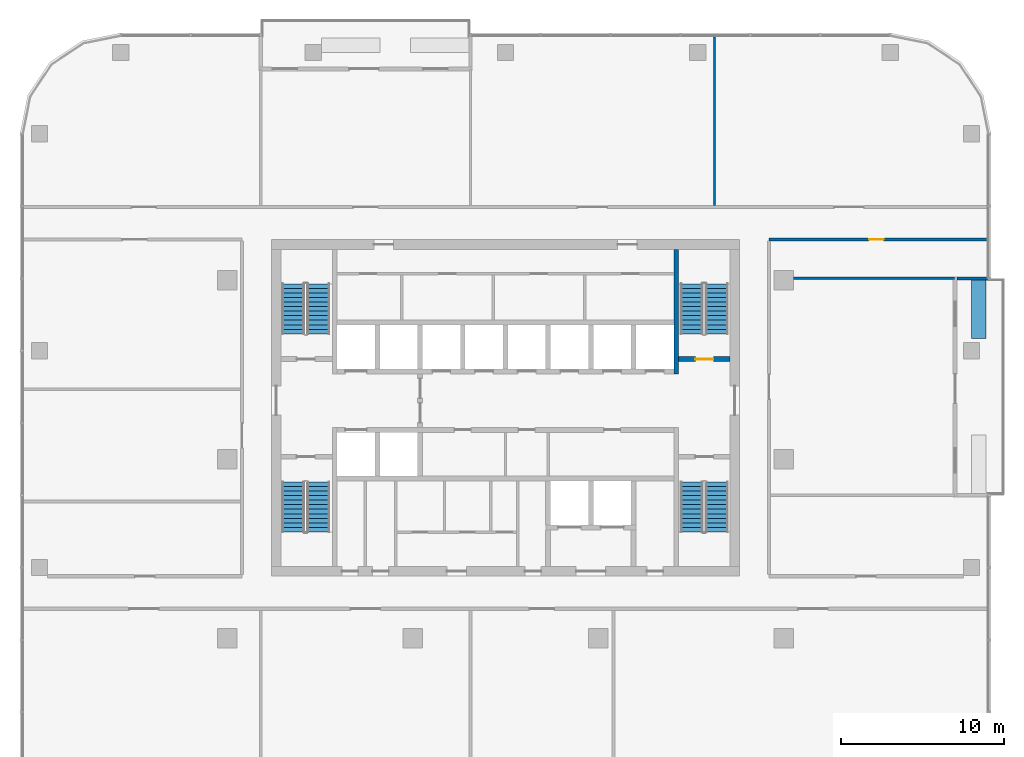
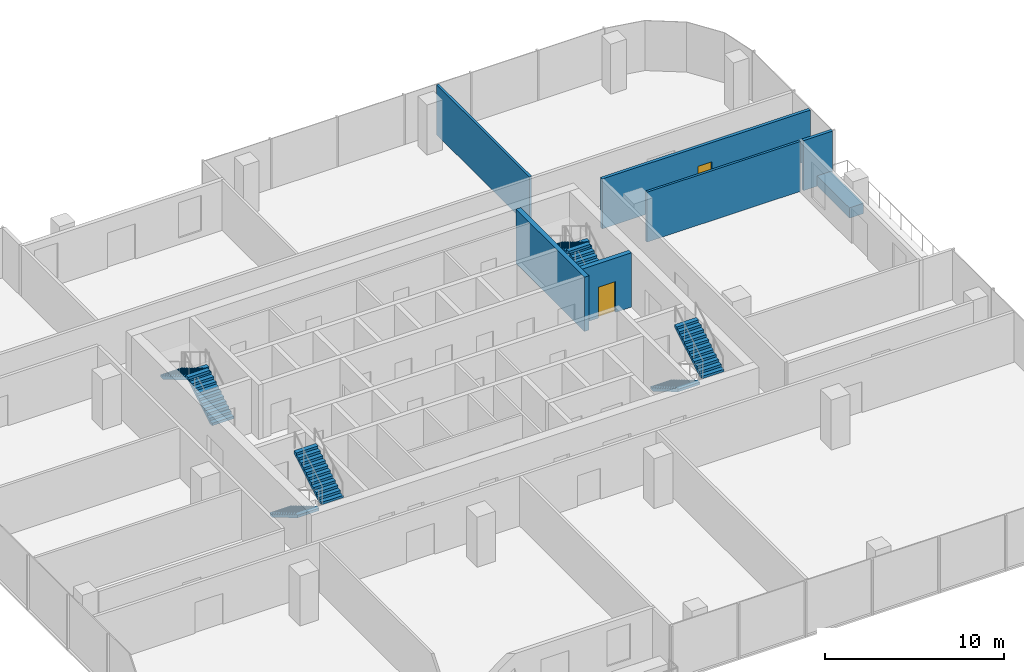
# One storey, part 10 of 13: 8 stair flights, 7 walls, 2 doors, 2 openings, 4 elements without a shape of their own.
"""IFC4 building model written with IfcOpenShell, lengths in metres."""

from ifc_helpers import new_model, si_unit, direction, frame, frame_2d, origin, place, context, subcontext, project, spatial, polyline, rectangle, outline, extrude, material, layer, layer_set, type_object, element, fill, aggregate, save


model = new_model("IFC4")

# Units and contexts
model_context = context("Model", 3, precision=1e-05, world=origin(), true_north=direction((0.0, 1.0)))
body_context = subcontext(model_context, "Body", "Model", "MODEL_VIEW")
ifc_project = project(units=[si_unit("LENGTHUNIT", "METRE"), si_unit("AREAUNIT", "SQUARE_METRE"), si_unit("VOLUMEUNIT", "CUBIC_METRE"), si_unit("PLANEANGLEUNIT", "RADIAN"), si_unit("MASSUNIT", "GRAM", prefix="KILO")], contexts=[model_context])

# Site, building, storey
site_placement = place(None, origin())
site = spatial("IfcSite", under=ifc_project, at=site_placement, CompositionType="ELEMENT")
building_placement = place(site_placement, origin())
building = spatial("IfcBuilding", under=site, at=building_placement, Name="Mopane Tessera Tower", CompositionType="ELEMENT")
storey_placement = place(building_placement, frame((0.0, 0.0, 311.39990234375)))
storey = spatial("IfcBuildingStorey", under=building, at=storey_placement, Name="L68", CompositionType="ELEMENT", Elevation=311.39990234375)

# Wall
ifc_material_1 = material(Name="Concrete C60/75", Category="concrete")
ifc_layer_1 = layer(ifc_material_1, 0.300048828125)
ifc_layer_set_1 = layer_set([ifc_layer_1], Name="Concrete C60/75")
wall_type_1 = type_object("IfcWallType", Name="Core spine wall 300 mm", PredefinedType="SHEAR", material=ifc_layer_set_1)
wall_1_placement = place(storey_placement, frame((10.5, 5.25, 0.0), z_axis=(0.0, 0.0, 1.0), x_axis=(0.0, 1.0, 0.0)))
element("IfcWall", 1, at=wall_1_placement, inside=storey, type_object=wall_type_1, Name="L68 Core spine wall", PredefinedType="SHEAR", context=body_context, shape_type="SweptSolid", body=[
    extrude(rectangle(XDim=7.64990234375, YDim=0.300048828125, at=frame_2d((3.824951171875, 0.0))), origin(), (0.0, 0.0, 1.0), 3.7001953125),
])

# Wall, opening, door
ifc_material_2 = material(Name="Gypsum board on steel studs, two layers each face, mineral wool infill", Category="steel")
ifc_layer_2 = layer(ifc_material_2, 0.199951171875)
ifc_layer_set_2 = layer_set([ifc_layer_2], Name="Gypsum board on steel studs, two layers each face, mineral wool infill")
wall_type_2 = type_object("IfcWallType", Name="Gypsum board corridor wall 200, rated EI 60", PredefinedType="PARTITIONING", material=ifc_layer_set_2)
wall_2_placement = place(storey_placement, frame((16.199951171875, 13.5, 0.0), z_axis=(0.0, 0.0, 1.0), x_axis=(1.0, 0.0, 0.0)))
wall_2 = element("IfcWall", 2, at=wall_2_placement, inside=storey, type_object=wall_type_2, Name="Partition L68:008", PredefinedType="PARTITIONING", context=body_context, shape_type="SweptSolid", body=[
    extrude(rectangle(XDim=13.400146484375, YDim=0.199951171875, at=frame_2d((6.7001953125, 0.0))), origin(), (0.0, 0.0, 1.0), 3.400146484375),
])
opening_1_placement = place(wall_2_placement, frame((6.14990234375, 0.0, 0.0)))
opening_1 = element("IfcOpeningElement", 3, at=opening_1_placement, cuts=wall_2, Name="Opening L68-07", PredefinedType="OPENING", context=body_context, shape_type="SweptSolid", body=[
    extrude(rectangle(XDim=0.89990234375, YDim=2.10009765625, at=frame_2d((0.449951171875, 1.050048828125))), frame((0.0, 0.112060546875, 0.0), z_axis=(0.0, -1.0, 0.0), x_axis=(1.0, 0.0, 0.0)), (0.0, 0.0, 1.0), 0.223876953125),
])
ifc_material_3 = material(Name="Timber veneered steel-framed fire door", Category="steel")
door_type_1 = type_object("IfcDoorType", Name="Fire door FD60 900 x 2100", OperationType="SINGLE_SWING_LEFT", PredefinedType="DOOR", material=ifc_material_3)
door_1_placement = place(opening_1_placement, origin())
door_1 = element("IfcDoor", 4, at=door_1_placement, inside=storey, type_object=door_type_1, Name="Door L68-07", ObjectType="D10A", OperationType="SINGLE_SWING_LEFT", OverallHeight=2.10009765625, OverallWidth=0.89990234375, PredefinedType="DOOR", context=body_context, shape_type="SweptSolid", body=[
    extrude(rectangle(XDim=0.89990234375, YDim=2.10009765625, at=frame_2d((0.449951171875, 1.050048828125))), frame((0.0, 0.02490234375, 0.0), z_axis=(0.0, -1.0, 0.0), x_axis=(1.0, 0.0, 0.0)), (0.0, 0.0, 1.0), 0.050048828125),
])
fill(opening_1, door_1)

# Walls
ifc_material_4 = material(Name="Gypsum board on steel studs, mineral wool infill", Category="steel")
ifc_layer_3 = layer(ifc_material_4, 0.14990234375)
ifc_layer_set_3 = layer_set([ifc_layer_3], Name="Gypsum board on steel studs, mineral wool infill")
wall_type_3 = type_object("IfcWallType", Name="Gypsum board partition 150, rated EI 60", PredefinedType="PARTITIONING", material=ifc_layer_set_3)
wall_3_placement = place(storey_placement, frame((17.699951171875, 11.110107421875, 0.0), z_axis=(0.0, 0.0, 1.0), x_axis=(1.0, 0.0, 0.0)))
element("IfcWall", 5, at=wall_3_placement, inside=storey, type_object=wall_type_3, Name="Partition L68:006", PredefinedType="PARTITIONING", context=body_context, shape_type="SweptSolid", body=[
    extrude(rectangle(XDim=9.900146484375, YDim=0.14990234375, at=frame_2d((4.9501953125, 0.0))), origin(), (0.0, 0.0, 1.0), 3.400146484375),
])
wall_4_placement = place(storey_placement, frame((12.85009765625, 15.60009765625, 0.0), z_axis=(0.0, 0.0, 1.0), x_axis=(0.0, 1.0, 0.0)))
element("IfcWall", 6, at=wall_4_placement, inside=storey, type_object=wall_type_3, Name="Partition L68:016", PredefinedType="PARTITIONING", context=body_context, shape_type="SweptSolid", body=[
    extrude(rectangle(XDim=10.349853515625, YDim=0.14990234375, at=frame_2d((5.1748046875, 0.0))), origin(), (0.0, 0.0, 1.0), 3.400146484375),
])

# Wall, opening, door
ifc_material_5 = material(Name="Concrete C50/60", Category="concrete")
ifc_layer_4 = layer(ifc_material_5, 0.300048828125)
ifc_layer_set_4 = layer_set([ifc_layer_4], Name="Concrete C50/60")
wall_type_4 = type_object("IfcWallType", Name="Lift and stair shaft wall 300 mm", PredefinedType="SOLIDWALL", material=ifc_layer_set_4)
wall_5_placement = place(storey_placement, frame((10.64990234375, 6.14990234375, 0.0), z_axis=(0.0, 0.0, 1.0), x_axis=(1.0, 0.0, 0.0)))
wall_5 = element("IfcWall", 7, at=wall_5_placement, inside=storey, type_object=wall_type_4, Name="L68 Stair enclosure wall", PredefinedType="SOLIDWALL", context=body_context, shape_type="SweptSolid", body=[
    extrude(rectangle(XDim=3.150146484375, YDim=0.300048828125, at=frame_2d((1.5751953125, 0.0))), origin(), (0.0, 0.0, 1.0), 3.7001953125),
])
opening_2_placement = place(wall_5_placement, frame((1.02490234375, 0.0, 0.0)))
opening_2 = element("IfcOpeningElement", 8, at=opening_2_placement, cuts=wall_5, Name="Opening SD1", PredefinedType="OPENING", context=body_context, shape_type="SweptSolid", body=[
    extrude(rectangle(XDim=1.10009765625, YDim=2.10009765625, at=frame_2d((0.550048828125, 1.050048828125))), frame((0.0, 0.162109375, 0.0), z_axis=(0.0, -1.0, 0.0), x_axis=(1.0, 0.0, 0.0)), (0.0, 0.0, 1.0), 0.323974609375),
])
ifc_material_6 = material(Name="Steel fire door", Category="steel")
door_type_2 = type_object("IfcDoorType", Name="Stair fire door 1100 x 2100", OperationType="SINGLE_SWING_LEFT", PredefinedType="DOOR", material=ifc_material_6)
door_2_placement = place(opening_2_placement, origin())
door_2 = element("IfcDoor", 9, at=door_2_placement, inside=storey, type_object=door_type_2, Name="L68 Stair door ST4", OperationType="SINGLE_SWING_RIGHT", OverallHeight=2.10009765625, OverallWidth=1.10009765625, PredefinedType="DOOR", context=body_context, shape_type="SweptSolid", body=[
    extrude(rectangle(XDim=1.10009765625, YDim=2.10009765625, at=frame_2d((0.550048828125, 1.050048828125))), frame((0.0, 0.02490234375, 0.0), z_axis=(0.0, -1.0, 0.0), x_axis=(1.0, 0.0, 0.0)), (0.0, 0.0, 1.0), 0.050048828125),
])
fill(opening_2, door_2)

# Walls
ifc_material_7 = material(Name="Reinforced concrete C32/40 with waterproofing", Category="concrete")
ifc_layer_5 = layer(ifc_material_7, 0.89990234375)
ifc_layer_set_5 = layer_set([ifc_layer_5], Name="Reinforced concrete C32/40 with waterproofing")
wall_type_5 = type_object("IfcWallType", Name="Planter trough 3600 x 900", PredefinedType="STANDARD", material=ifc_layer_set_5)
wall_6_placement = place(storey_placement, frame((29.10009765625, 7.4111328125, 0.0), z_axis=(0.0, 0.0, 1.0), x_axis=(0.0, 1.0, 0.0)))
element("IfcWall", 10, at=wall_6_placement, inside=storey, type_object=wall_type_5, Name="e:nw:L68:N1:pl1", PredefinedType="STANDARD", context=body_context, shape_type="SweptSolid", body=[
    extrude(rectangle(XDim=3.60009765625, YDim=0.89990234375, at=frame_2d((1.800048828125, 0.0))), origin(), (0.0, 0.0, 1.0), 0.7001953125),
])
ifc_material_8 = material(Name="Blockwork with glazed tile facing", Category="masonry")
ifc_layer_6 = layer(ifc_material_8, 0.199951171875)
ifc_layer_set_6 = layer_set([ifc_layer_6], Name="Blockwork with glazed tile facing")
wall_type_6 = type_object("IfcWallType", Name="Terrace cheek wall 200", PredefinedType="STANDARD", material=ifc_layer_set_6)
wall_7_placement = place(storey_placement, frame((29.64990234375, 11.111083984375, 0.0), z_axis=(0.0, 0.0, 1.0), x_axis=(-1.0, 0.0, 0.0)))
element("IfcWall", 11, at=wall_7_placement, inside=storey, type_object=wall_type_6, Name="e:nw:L68:N1:cheekb", PredefinedType="STANDARD", context=body_context, shape_type="SweptSolid", body=[
    extrude(rectangle(XDim=1.875, YDim=0.199951171875, at=frame_2d((0.9375, 0.0))), origin(), (0.0, 0.0, 1.0), 3.400146484375),
])

# Stair, stair flights
ifc_material_9 = material(Name="Concrete C50/60", Category="concrete")
stair_type = type_object("IfcStairType", Name="Escape stair 1400 mm, riser 167 mm", PredefinedType="HALF_TURN_STAIR", material=ifc_material_9)
stair_1_placement = place(storey_placement, origin())
stair_1 = element("IfcStair", 12, at=stair_1_placement, inside=storey, type_object=stair_type, Name="L68 Escape stair south-west", PredefinedType="HALF_TURN_STAIR")
ifc_material_10 = material(Name="Concrete C50/60", Category="concrete")
stair_flight_type = type_object("IfcStairFlightType", Name="Escape stair flight 1400 mm", PredefinedType="STRAIGHT", material=ifc_material_10)
stair_flight_1_placement = place(storey_placement, frame((-13.050048828125, -1.39990234375, 0.0), z_axis=(0.0, 0.0, 1.0), x_axis=(0.0, -1.0, 0.0)))
stair_flight_1 = element("IfcStairFlight", 13, at=stair_flight_1_placement, type_object=stair_flight_type, Name="ST1 flight 1", NumberOfRisers=12, NumberOfTreads=11, PredefinedType="STRAIGHT", RiserHeight=0.166666667, TreadLength=0.28, context=body_context, shape_type="SweptSolid", body=[
    extrude(outline(polyline([(0.0, 0.0), (0.0, 0.166748046875), (0.280029296875, 0.166748046875), (0.280029296875, 0.333251953125), (0.56005859375, 0.333251953125), (0.56005859375, 0.5), (0.840087890625, 0.5), (0.840087890625, 0.666748046875), (1.1201171875, 0.666748046875), (1.1201171875, 0.833251953125), (1.39990234375, 0.833251953125), (1.39990234375, 1.0), (1.679931640625, 1.0), (1.679931640625, 1.166748046875), (1.9599609375, 1.166748046875), (1.9599609375, 1.333251953125), (2.239990234375, 1.333251953125), (2.239990234375, 1.5), (2.52001953125, 1.5), (2.52001953125, 1.666748046875), (2.800048828125, 1.666748046875), (2.800048828125, 1.833251953125), (3.080078125, 1.833251953125), (3.080078125, 2.0), (3.080078125, 1.658935546875), (0.29296875, 0.0), (0.0, 0.0)])), frame((0.0, 0.699951171875, 0.0), z_axis=(0.0, -1.0, 0.0), x_axis=(1.0, 0.0, 0.0)), (0.0, 0.0, 1.0), 1.39990234375),
])
stair_flight_2_placement = place(storey_placement, frame((-11.5, -4.47998046875, 2.0), z_axis=(0.0, 0.0, 1.0), x_axis=(0.0, 1.0, 0.0)))
stair_flight_2 = element("IfcStairFlight", 14, at=stair_flight_2_placement, type_object=stair_flight_type, Name="ST1 flight 2", NumberOfRisers=12, NumberOfTreads=11, PredefinedType="STRAIGHT", RiserHeight=0.166666667, TreadLength=0.28, context=body_context, shape_type="SweptSolid", body=[
    extrude(outline(polyline([(0.0, 0.0), (0.0, 0.166748046875), (0.280029296875, 0.166748046875), (0.280029296875, 0.333251953125), (0.56005859375, 0.333251953125), (0.56005859375, 0.5), (0.840087890625, 0.5), (0.840087890625, 0.666748046875), (1.1201171875, 0.666748046875), (1.1201171875, 0.833251953125), (1.39990234375, 0.833251953125), (1.39990234375, 1.0), (1.679931640625, 1.0), (1.679931640625, 1.166748046875), (1.9599609375, 1.166748046875), (1.9599609375, 1.333251953125), (2.239990234375, 1.333251953125), (2.239990234375, 1.5), (2.52001953125, 1.5), (2.52001953125, 1.666748046875), (2.800048828125, 1.666748046875), (2.800048828125, 1.833251953125), (3.080078125, 1.833251953125), (3.080078125, 2.0), (3.080078125, 1.658935546875), (0.29296875, 0.0), (0.0, 0.0)])), frame((0.0, 0.699951171875, 0.0), z_axis=(0.0, -1.0, 0.0), x_axis=(1.0, 0.0, 0.0)), (0.0, 0.0, 1.0), 1.39990234375),
])
aggregate(stair_1, [stair_flight_1, stair_flight_2])

stair_2_placement = place(storey_placement, origin())
stair_2 = element("IfcStair", 15, at=stair_2_placement, inside=storey, type_object=stair_type, Name="L68 Escape stair north-west", PredefinedType="HALF_TURN_STAIR")
stair_flight_3_placement = place(storey_placement, frame((-11.5, 7.699951171875, 0.0), z_axis=(0.0, 0.0, 1.0), x_axis=(0.0, 1.0, 0.0)))
stair_flight_3 = element("IfcStairFlight", 16, at=stair_flight_3_placement, type_object=stair_flight_type, Name="ST2 flight 1", NumberOfRisers=12, NumberOfTreads=11, PredefinedType="STRAIGHT", RiserHeight=0.166666667, TreadLength=0.28, context=body_context, shape_type="SweptSolid", body=[
    extrude(outline(polyline([(0.0, 0.0), (0.0, 0.166748046875), (0.280029296875, 0.166748046875), (0.280029296875, 0.333251953125), (0.56005859375, 0.333251953125), (0.56005859375, 0.5), (0.840087890625, 0.5), (0.840087890625, 0.666748046875), (1.1201171875, 0.666748046875), (1.1201171875, 0.833251953125), (1.39990234375, 0.833251953125), (1.39990234375, 1.0), (1.679931640625, 1.0), (1.679931640625, 1.166748046875), (1.9599609375, 1.166748046875), (1.9599609375, 1.333251953125), (2.239990234375, 1.333251953125), (2.239990234375, 1.5), (2.52001953125, 1.5), (2.52001953125, 1.666748046875), (2.800048828125, 1.666748046875), (2.800048828125, 1.833251953125), (3.080078125, 1.833251953125), (3.080078125, 2.0), (3.080078125, 1.658935546875), (0.29296875, 0.0), (0.0, 0.0)])), frame((0.0, 0.699951171875, 0.0), z_axis=(0.0, -1.0, 0.0), x_axis=(1.0, 0.0, 0.0)), (0.0, 0.0, 1.0), 1.39990234375),
])
stair_flight_4_placement = place(storey_placement, frame((-13.050048828125, 10.780029296875, 2.0), z_axis=(0.0, 0.0, 1.0), x_axis=(0.0, -1.0, 0.0)))
stair_flight_4 = element("IfcStairFlight", 17, at=stair_flight_4_placement, type_object=stair_flight_type, Name="ST2 flight 2", NumberOfRisers=12, NumberOfTreads=11, PredefinedType="STRAIGHT", RiserHeight=0.166666667, TreadLength=0.28, context=body_context, shape_type="SweptSolid", body=[
    extrude(outline(polyline([(0.0, 0.0), (0.0, 0.166748046875), (0.280029296875, 0.166748046875), (0.280029296875, 0.333251953125), (0.56005859375, 0.333251953125), (0.56005859375, 0.5), (0.840087890625, 0.5), (0.840087890625, 0.666748046875), (1.1201171875, 0.666748046875), (1.1201171875, 0.833251953125), (1.39990234375, 0.833251953125), (1.39990234375, 1.0), (1.679931640625, 1.0), (1.679931640625, 1.166748046875), (1.9599609375, 1.166748046875), (1.9599609375, 1.333251953125), (2.239990234375, 1.333251953125), (2.239990234375, 1.5), (2.52001953125, 1.5), (2.52001953125, 1.666748046875), (2.800048828125, 1.666748046875), (2.800048828125, 1.833251953125), (3.080078125, 1.833251953125), (3.080078125, 2.0), (3.080078125, 1.658935546875), (0.29296875, 0.0), (0.0, 0.0)])), frame((0.0, 0.699951171875, 0.0), z_axis=(0.0, -1.0, 0.0), x_axis=(1.0, 0.0, 0.0)), (0.0, 0.0, 1.0), 1.39990234375),
])
aggregate(stair_2, [stair_flight_3, stair_flight_4])

stair_3_placement = place(storey_placement, origin())
stair_3 = element("IfcStair", 18, at=stair_3_placement, inside=storey, type_object=stair_type, Name="L68 Escape stair south-east", PredefinedType="HALF_TURN_STAIR")
stair_flight_5_placement = place(storey_placement, frame((11.449951171875, -1.39990234375, 0.0), z_axis=(0.0, 0.0, 1.0), x_axis=(0.0, -1.0, 0.0)))
stair_flight_5 = element("IfcStairFlight", 19, at=stair_flight_5_placement, type_object=stair_flight_type, Name="ST3 flight 1", NumberOfRisers=12, NumberOfTreads=11, PredefinedType="STRAIGHT", RiserHeight=0.166666667, TreadLength=0.28, context=body_context, shape_type="SweptSolid", body=[
    extrude(outline(polyline([(0.0, 0.0), (0.0, 0.166748046875), (0.280029296875, 0.166748046875), (0.280029296875, 0.333251953125), (0.56005859375, 0.333251953125), (0.56005859375, 0.5), (0.840087890625, 0.5), (0.840087890625, 0.666748046875), (1.1201171875, 0.666748046875), (1.1201171875, 0.833251953125), (1.39990234375, 0.833251953125), (1.39990234375, 1.0), (1.679931640625, 1.0), (1.679931640625, 1.166748046875), (1.9599609375, 1.166748046875), (1.9599609375, 1.333251953125), (2.239990234375, 1.333251953125), (2.239990234375, 1.5), (2.52001953125, 1.5), (2.52001953125, 1.666748046875), (2.800048828125, 1.666748046875), (2.800048828125, 1.833251953125), (3.080078125, 1.833251953125), (3.080078125, 2.0), (3.080078125, 1.658935546875), (0.29296875, 0.0), (0.0, 0.0)])), frame((0.0, 0.699951171875, 0.0), z_axis=(0.0, -1.0, 0.0), x_axis=(1.0, 0.0, 0.0)), (0.0, 0.0, 1.0), 1.39990234375),
])
stair_flight_6_placement = place(storey_placement, frame((13.0, -4.47998046875, 2.0), z_axis=(0.0, 0.0, 1.0), x_axis=(0.0, 1.0, 0.0)))
stair_flight_6 = element("IfcStairFlight", 20, at=stair_flight_6_placement, type_object=stair_flight_type, Name="ST3 flight 2", NumberOfRisers=12, NumberOfTreads=11, PredefinedType="STRAIGHT", RiserHeight=0.166666667, TreadLength=0.28, context=body_context, shape_type="SweptSolid", body=[
    extrude(outline(polyline([(0.0, 0.0), (0.0, 0.166748046875), (0.280029296875, 0.166748046875), (0.280029296875, 0.333251953125), (0.56005859375, 0.333251953125), (0.56005859375, 0.5), (0.840087890625, 0.5), (0.840087890625, 0.666748046875), (1.1201171875, 0.666748046875), (1.1201171875, 0.833251953125), (1.39990234375, 0.833251953125), (1.39990234375, 1.0), (1.679931640625, 1.0), (1.679931640625, 1.166748046875), (1.9599609375, 1.166748046875), (1.9599609375, 1.333251953125), (2.239990234375, 1.333251953125), (2.239990234375, 1.5), (2.52001953125, 1.5), (2.52001953125, 1.666748046875), (2.800048828125, 1.666748046875), (2.800048828125, 1.833251953125), (3.080078125, 1.833251953125), (3.080078125, 2.0), (3.080078125, 1.658935546875), (0.29296875, 0.0), (0.0, 0.0)])), frame((0.0, 0.699951171875, 0.0), z_axis=(0.0, -1.0, 0.0), x_axis=(1.0, 0.0, 0.0)), (0.0, 0.0, 1.0), 1.39990234375),
])
aggregate(stair_3, [stair_flight_5, stair_flight_6])

stair_4_placement = place(storey_placement, origin())
stair_4 = element("IfcStair", 21, at=stair_4_placement, inside=storey, type_object=stair_type, Name="L68 Escape stair north-east", PredefinedType="HALF_TURN_STAIR")
stair_flight_7_placement = place(storey_placement, frame((13.0, 7.699951171875, 0.0), z_axis=(0.0, 0.0, 1.0), x_axis=(0.0, 1.0, 0.0)))
stair_flight_7 = element("IfcStairFlight", 22, at=stair_flight_7_placement, type_object=stair_flight_type, Name="ST4 flight 1", NumberOfRisers=12, NumberOfTreads=11, PredefinedType="STRAIGHT", RiserHeight=0.166666667, TreadLength=0.28, context=body_context, shape_type="SweptSolid", body=[
    extrude(outline(polyline([(0.0, 0.0), (0.0, 0.166748046875), (0.280029296875, 0.166748046875), (0.280029296875, 0.333251953125), (0.56005859375, 0.333251953125), (0.56005859375, 0.5), (0.840087890625, 0.5), (0.840087890625, 0.666748046875), (1.1201171875, 0.666748046875), (1.1201171875, 0.833251953125), (1.39990234375, 0.833251953125), (1.39990234375, 1.0), (1.679931640625, 1.0), (1.679931640625, 1.166748046875), (1.9599609375, 1.166748046875), (1.9599609375, 1.333251953125), (2.239990234375, 1.333251953125), (2.239990234375, 1.5), (2.52001953125, 1.5), (2.52001953125, 1.666748046875), (2.800048828125, 1.666748046875), (2.800048828125, 1.833251953125), (3.080078125, 1.833251953125), (3.080078125, 2.0), (3.080078125, 1.658935546875), (0.29296875, 0.0), (0.0, 0.0)])), frame((0.0, 0.699951171875, 0.0), z_axis=(0.0, -1.0, 0.0), x_axis=(1.0, 0.0, 0.0)), (0.0, 0.0, 1.0), 1.39990234375),
])
stair_flight_8_placement = place(storey_placement, frame((11.449951171875, 10.780029296875, 2.0), z_axis=(0.0, 0.0, 1.0), x_axis=(0.0, -1.0, 0.0)))
stair_flight_8 = element("IfcStairFlight", 23, at=stair_flight_8_placement, type_object=stair_flight_type, Name="ST4 flight 2", NumberOfRisers=12, NumberOfTreads=11, PredefinedType="STRAIGHT", RiserHeight=0.166666667, TreadLength=0.28, context=body_context, shape_type="SweptSolid", body=[
    extrude(outline(polyline([(0.0, 0.0), (0.0, 0.166748046875), (0.280029296875, 0.166748046875), (0.280029296875, 0.333251953125), (0.56005859375, 0.333251953125), (0.56005859375, 0.5), (0.840087890625, 0.5), (0.840087890625, 0.666748046875), (1.1201171875, 0.666748046875), (1.1201171875, 0.833251953125), (1.39990234375, 0.833251953125), (1.39990234375, 1.0), (1.679931640625, 1.0), (1.679931640625, 1.166748046875), (1.9599609375, 1.166748046875), (1.9599609375, 1.333251953125), (2.239990234375, 1.333251953125), (2.239990234375, 1.5), (2.52001953125, 1.5), (2.52001953125, 1.666748046875), (2.800048828125, 1.666748046875), (2.800048828125, 1.833251953125), (3.080078125, 1.833251953125), (3.080078125, 2.0), (3.080078125, 1.658935546875), (0.29296875, 0.0), (0.0, 0.0)])), frame((0.0, 0.699951171875, 0.0), z_axis=(0.0, -1.0, 0.0), x_axis=(1.0, 0.0, 0.0)), (0.0, 0.0, 1.0), 1.39990234375),
])
aggregate(stair_4, [stair_flight_7, stair_flight_8])

save(model, "model.ifc")
